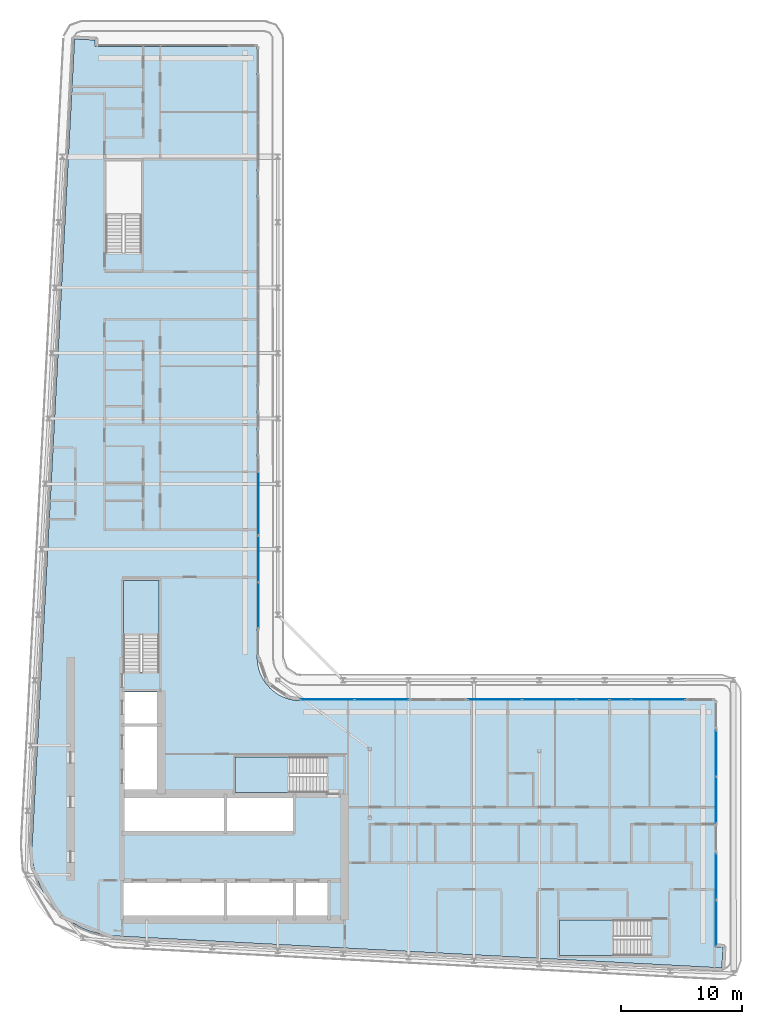
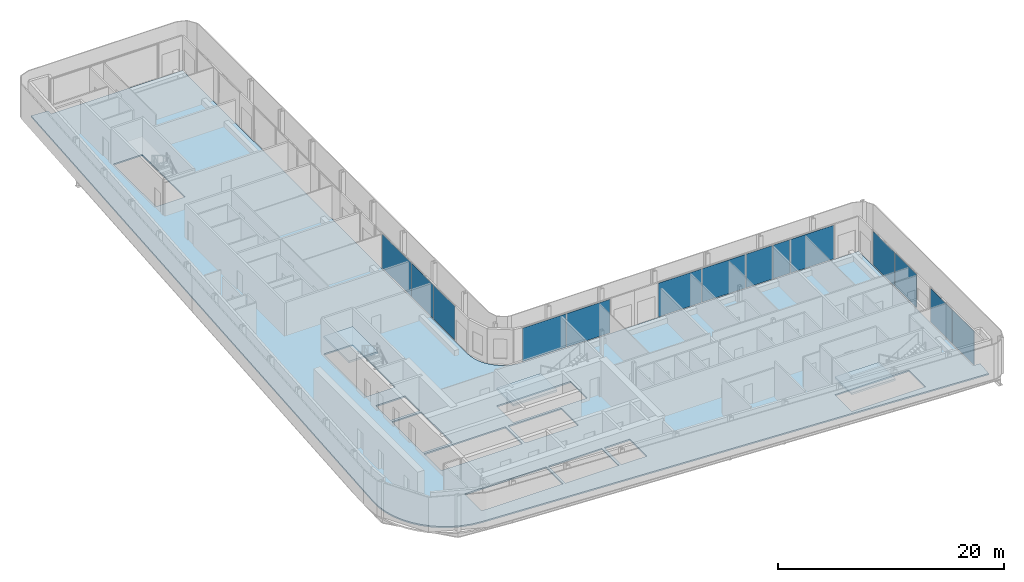
# One storey, part 8 of 23: 14 plates, 4 slabs, 10 elements without a shape of their own.
"""IFC4 building model written with IfcOpenShell, lengths in metres."""

from ifc_helpers import new_model, si_unit, direction, frame, origin, origin_2d, place, context, subcontext, project, spatial, polyline, rectangle, outline, extrude, material, layer, layer_set, type_object, element, aggregate, save


model = new_model("IFC4")

# Units and contexts
model_context = context("Model", 3, precision=1e-05, world=origin(), true_north=direction((0.0, 1.0)))
body_context = subcontext(model_context, "Body", "Model", "MODEL_VIEW")
ifc_project = project(units=[si_unit("LENGTHUNIT", "METRE"), si_unit("AREAUNIT", "SQUARE_METRE"), si_unit("VOLUMEUNIT", "CUBIC_METRE"), si_unit("PLANEANGLEUNIT", "RADIAN"), si_unit("MASSUNIT", "GRAM", prefix="KILO")], contexts=[model_context])

# Site, building, storey
site_placement = place(None, origin())
site = spatial("IfcSite", under=ifc_project, at=site_placement, CompositionType="ELEMENT")
building_placement = place(site_placement, origin())
building = spatial("IfcBuilding", under=site, at=building_placement, Name="Kheshtan School and Residences Tower", CompositionType="ELEMENT")
storey_placement = place(building_placement, frame((0.0, 0.0, 247.39990234375)))
storey = spatial("IfcBuildingStorey", under=building, at=storey_placement, Name="L58", CompositionType="ELEMENT", Elevation=247.39990234375)

# Curtain wall, plate
ifc_material_1 = material(Name="Clear low-e glass in thermally broken aluminium frame", Category="aluminium")
ifc_layer_1 = layer(ifc_material_1, 0.199951171875)
ifc_layer_set_1 = layer_set([ifc_layer_1], Name="Curtain wall CW-L")
curtain_wall_type = type_object("IfcCurtainWallType", Name="Curtain wall CW-L", PredefinedType="NOTDEFINED", material=ifc_layer_set_1)
curtain_wall_1_placement = place(storey_placement, origin())
curtain_wall_1 = element("IfcCurtainWall", 1, at=curtain_wall_1_placement, inside=storey, type_object=curtain_wall_type, Name="Curtain wall CWL8k", PredefinedType="NOTDEFINED")
ifc_layer_2 = layer(ifc_material_1, 0.031982421875)
ifc_layer_set_2 = layer_set([ifc_layer_2], Name="CW-L glass panel")
plate_type = type_object("IfcPlateType", Name="CW-L glass panel", PredefinedType="CURTAIN_PANEL", material=ifc_layer_set_2)
plate_1_placement = place(storey_placement, frame((46.0, 60.177001953125, 0.000244140625), z_axis=(0.0, 0.0, 1.0), x_axis=(0.0, -1.0, 0.0)))
plate_1 = element("IfcPlate", 2, at=plate_1_placement, type_object=plate_type, Name="CWL8k panel 2.1", PredefinedType="CURTAIN_PANEL", context=body_context, shape_type="SweptSolid", body=[
    extrude(rectangle(XDim=5.18603515625, YDim=0.031982421875, at=origin_2d()), origin(), (0.0, 0.0, 1.0), 3.6298828125),
])
aggregate(curtain_wall_1, [plate_1])

# Curtain wall, plates
curtain_wall_2_placement = place(storey_placement, origin())
curtain_wall_2 = element("IfcCurtainWall", 3, at=curtain_wall_2_placement, inside=storey, type_object=curtain_wall_type, Name="Curtain wall CWL8", PredefinedType="NOTDEFINED")
plate_2_placement = place(storey_placement, frame((46.0, 55.615478515625, 0.000244140625), z_axis=(0.0, 0.0, 1.0), x_axis=(0.0, -1.0, 0.0)))
plate_2 = element("IfcPlate", 4, at=plate_2_placement, type_object=plate_type, Name="CWL8 panel 1.1", PredefinedType="CURTAIN_PANEL", context=body_context, shape_type="SweptSolid", body=[
    extrude(rectangle(XDim=3.81689453125, YDim=0.031982421875, at=origin_2d()), origin(), (0.0, 0.0, 1.0), 3.6298828125),
])
plate_3_placement = place(storey_placement, frame((46.0, 51.7685546875, 0.000244140625), z_axis=(0.0, 0.0, 1.0), x_axis=(0.0, -1.0, 0.0)))
plate_3 = element("IfcPlate", 5, at=plate_3_placement, type_object=plate_type, Name="CWL8 panel 2.1", PredefinedType="CURTAIN_PANEL", context=body_context, shape_type="SweptSolid", body=[
    extrude(rectangle(XDim=3.757080078125, YDim=0.031982421875, at=origin_2d()), origin(), (0.0, 0.0, 1.0), 3.6298828125),
])
aggregate(curtain_wall_2, [plate_2, plate_3])

curtain_wall_3_placement = place(storey_placement, origin())
curtain_wall_3 = element("IfcCurtainWall", 6, at=curtain_wall_3_placement, inside=storey, type_object=curtain_wall_type, Name="Curtain wall CWL1231", PredefinedType="NOTDEFINED")
plate_4_placement = place(storey_placement, frame((51.700927734375, 44.0, 0.000244140625), z_axis=(0.0, 0.0, 1.0), x_axis=(1.0, 0.0, 0.0)))
plate_4 = element("IfcPlate", 7, at=plate_4_placement, type_object=plate_type, Name="CWL1231 panel 1.1", PredefinedType="CURTAIN_PANEL", context=body_context, shape_type="SweptSolid", body=[
    extrude(rectangle(XDim=4.421630859375, YDim=0.031982421875, at=origin_2d()), origin(), (0.0, 0.0, 1.0), 3.6298828125),
])
plate_5_placement = place(storey_placement, frame((56.1826171875, 44.0, 0.000244140625), z_axis=(0.0, 0.0, 1.0), x_axis=(1.0, 0.0, 0.0)))
plate_5 = element("IfcPlate", 8, at=plate_5_placement, type_object=plate_type, Name="CWL1231 panel 2.1", PredefinedType="CURTAIN_PANEL", context=body_context, shape_type="SweptSolid", body=[
    extrude(rectangle(XDim=4.421630859375, YDim=0.031982421875, at=origin_2d()), origin(), (0.0, 0.0, 1.0), 3.6298828125),
])
aggregate(curtain_wall_3, [plate_4, plate_5])

curtain_wall_4_placement = place(storey_placement, origin())
curtain_wall_4 = element("IfcCurtainWall", 9, at=curtain_wall_4_placement, inside=storey, type_object=curtain_wall_type, Name="Curtain wall CWL1231", PredefinedType="NOTDEFINED")
plate_6_placement = place(storey_placement, frame((65.524169921875, 44.0, 0.000244140625), z_axis=(0.0, 0.0, 1.0), x_axis=(1.0, 0.0, 0.0)))
plate_6 = element("IfcPlate", 10, at=plate_6_placement, type_object=plate_type, Name="CWL1231 panel 1.1", PredefinedType="CURTAIN_PANEL", context=body_context, shape_type="SweptSolid", body=[
    extrude(rectangle(XDim=4.421630859375, YDim=0.031982421875, at=origin_2d()), origin(), (0.0, 0.0, 1.0), 3.6298828125),
])
plate_7_placement = place(storey_placement, frame((70.005859375, 44.0, 0.000244140625), z_axis=(0.0, 0.0, 1.0), x_axis=(1.0, 0.0, 0.0)))
plate_7 = element("IfcPlate", 11, at=plate_7_placement, type_object=plate_type, Name="CWL1231 panel 2.1", PredefinedType="CURTAIN_PANEL", context=body_context, shape_type="SweptSolid", body=[
    extrude(rectangle(XDim=4.421630859375, YDim=0.031982421875, at=origin_2d()), origin(), (0.0, 0.0, 1.0), 3.6298828125),
])
aggregate(curtain_wall_4, [plate_6, plate_7])

curtain_wall_5_placement = place(storey_placement, origin())
curtain_wall_5 = element("IfcCurtainWall", 12, at=curtain_wall_5_placement, inside=storey, type_object=curtain_wall_type, Name="Curtain wall CWL1228", PredefinedType="NOTDEFINED")
plate_8_placement = place(storey_placement, frame((73.623291015625, 44.0, 0.000244140625), z_axis=(0.0, 0.0, 1.0), x_axis=(1.0, 0.0, 0.0)))
plate_8 = element("IfcPlate", 13, at=plate_8_placement, type_object=plate_type, Name="CWL1228 panel 1.1", PredefinedType="CURTAIN_PANEL", context=body_context, shape_type="SweptSolid", body=[
    extrude(rectangle(XDim=2.693359375, YDim=0.031982421875, at=origin_2d()), origin(), (0.0, 0.0, 1.0), 3.6298828125),
])
plate_9_placement = place(storey_placement, frame((75.89404296875, 44.0, 0.000244140625), z_axis=(0.0, 0.0, 1.0), x_axis=(1.0, 0.0, 0.0)))
plate_9 = element("IfcPlate", 14, at=plate_9_placement, type_object=plate_type, Name="CWL1228 panel 2.1", PredefinedType="CURTAIN_PANEL", context=body_context, shape_type="SweptSolid", body=[
    extrude(rectangle(XDim=1.728271484375, YDim=0.031982421875, at=origin_2d()), origin(), (0.0, 0.0, 1.0), 3.6298828125),
])
plate_10_placement = place(storey_placement, frame((79.029052734375, 44.0, 0.000244140625), z_axis=(0.0, 0.0, 1.0), x_axis=(1.0, 0.0, 0.0)))
plate_10 = element("IfcPlate", 15, at=plate_10_placement, type_object=plate_type, Name="CWL1228 panel 3.1", PredefinedType="CURTAIN_PANEL", context=body_context, shape_type="SweptSolid", body=[
    extrude(rectangle(XDim=4.421630859375, YDim=0.031982421875, at=origin_2d()), origin(), (0.0, 0.0, 1.0), 3.6298828125),
])
aggregate(curtain_wall_5, [plate_8, plate_9, plate_10])

curtain_wall_6_placement = place(storey_placement, origin())
curtain_wall_6 = element("IfcCurtainWall", 16, at=curtain_wall_6_placement, inside=storey, type_object=curtain_wall_type, Name="Curtain wall CWL13c", PredefinedType="NOTDEFINED")
plate_11_placement = place(storey_placement, frame((83.800048828125, 39.54345703125, 0.000244140625), z_axis=(0.0, 0.0, 1.0), x_axis=(0.0, -1.0, 0.0)))
plate_11 = element("IfcPlate", 17, at=plate_11_placement, type_object=plate_type, Name="CWL13c panel 1.1", PredefinedType="CURTAIN_PANEL", context=body_context, shape_type="SweptSolid", body=[
    extrude(rectangle(XDim=3.793212890625, YDim=0.031982421875, at=origin_2d()), origin(), (0.0, 0.0, 1.0), 3.6298828125),
])
plate_12_placement = place(storey_placement, frame((83.800048828125, 35.690185546875, 0.000244140625), z_axis=(0.0, 0.0, 1.0), x_axis=(0.0, -1.0, 0.0)))
plate_12 = element("IfcPlate", 18, at=plate_12_placement, type_object=plate_type, Name="CWL13c panel 2.1", PredefinedType="CURTAIN_PANEL", context=body_context, shape_type="SweptSolid", body=[
    extrude(rectangle(XDim=3.793212890625, YDim=0.031982421875, at=origin_2d()), origin(), (0.0, 0.0, 1.0), 3.6298828125),
])
aggregate(curtain_wall_6, [plate_11, plate_12])

curtain_wall_7_placement = place(storey_placement, origin())
curtain_wall_7 = element("IfcCurtainWall", 19, at=curtain_wall_7_placement, inside=storey, type_object=curtain_wall_type, Name="Curtain wall CWL13c", PredefinedType="NOTDEFINED")
plate_13_placement = place(storey_placement, frame((83.800048828125, 29.376953125, 0.000244140625), z_axis=(0.0, 0.0, 1.0), x_axis=(0.0, -1.0, 0.0)))
plate_13 = element("IfcPlate", 20, at=plate_13_placement, type_object=plate_type, Name="CWL13c panel 1.1", PredefinedType="CURTAIN_PANEL", context=body_context, shape_type="SweptSolid", body=[
    extrude(rectangle(XDim=3.793212890625, YDim=0.031982421875, at=origin_2d()), origin(), (0.0, 0.0, 1.0), 3.6298828125),
])
plate_14_placement = place(storey_placement, frame((83.800048828125, 25.523681640625, 0.000244140625), z_axis=(0.0, 0.0, 1.0), x_axis=(0.0, -1.0, 0.0)))
plate_14 = element("IfcPlate", 21, at=plate_14_placement, type_object=plate_type, Name="CWL13c panel 2.1", PredefinedType="CURTAIN_PANEL", context=body_context, shape_type="SweptSolid", body=[
    extrude(rectangle(XDim=3.793212890625, YDim=0.031982421875, at=origin_2d()), origin(), (0.0, 0.0, 1.0), 3.6298828125),
])
aggregate(curtain_wall_7, [plate_13, plate_14])

# Slab
ifc_material_2 = material(Name="Concrete C40/50", Category="concrete")
ifc_layer_3 = layer(ifc_material_2, 0.14990234375)
ifc_layer_set_3 = layer_set([ifc_layer_3], Name="Floor slab 150 Concrete C40/50")
slab_type_1 = type_object("IfcSlabType", Name="Floor slab 150 Concrete C40/50", PredefinedType="FLOOR", material=ifc_layer_set_3)
slab_1_placement = place(storey_placement, frame((0.0, 0.0, -0.14990234375)))
element("IfcSlab", 22, at=slab_1_placement, inside=storey, type_object=slab_type_1, Name="Floor slab L58", PredefinedType="FLOOR", context=body_context, shape_type="SweptSolid", body=[
    extrude(outline(polyline([(28.0849609375, 28.345947265625), (27.718017578125, 29.200927734375), (27.466064453125, 30.093017578125), (27.466064453125, 30.093994140625), (27.3330078125, 31.013916015625), (27.320068359375, 31.965087890625), (27.320068359375, 31.970947265625), (30.822021484375, 98.5009765625), (30.822998046875, 98.508056640625), (30.825927734375, 98.531005859375), (30.825927734375, 98.531982421875), (30.826904296875, 98.531982421875), (31.422119140625, 98.5), (31.423095703125, 98.5), (31.423095703125, 98.4990234375), (31.423095703125, 98.4951171875), (31.423095703125, 98.493896484375), (31.424072265625, 98.493896484375), (31.424072265625, 98.492919921875), (31.425048828125, 98.492919921875), (31.426025390625, 98.492919921875), (31.426025390625, 98.493896484375), (31.427978515625, 98.49609375), (31.428955078125, 98.4970703125), (31.429931640625, 98.498046875), (31.430908203125, 98.498046875), (31.430908203125, 98.4990234375), (31.431884765625, 98.4990234375), (31.431884765625, 98.5), (31.43505859375, 98.5009765625), (31.43603515625, 98.501953125), (31.43896484375, 98.501953125), (31.43994140625, 98.501953125), (31.43994140625, 98.5029296875), (31.44091796875, 98.5029296875), (31.446044921875, 98.5029296875), (32.5009765625, 98.447021484375), (32.50390625, 98.447021484375), (32.5048828125, 98.447021484375), (32.5048828125, 98.446044921875), (32.506103515625, 98.446044921875), (32.510009765625, 98.446044921875), (32.510009765625, 98.445068359375), (32.510986328125, 98.445068359375), (32.510986328125, 98.444091796875), (32.511962890625, 98.444091796875), (32.511962890625, 98.443115234375), (32.512939453125, 98.443115234375), (32.513916015625, 98.443115234375), (32.513916015625, 98.44189453125), (32.514892578125, 98.44189453125), (32.51611328125, 98.44189453125), (32.51904296875, 98.43896484375), (32.51904296875, 98.43798828125), (32.51904296875, 98.43701171875), (32.52001953125, 98.43701171875), (32.52001953125, 98.43603515625), (32.52099609375, 98.43603515625), (32.52099609375, 98.43408203125), (32.52099609375, 98.43310546875), (32.52197265625, 98.43310546875), (32.52197265625, 98.431884765625), (32.52294921875, 98.431884765625), (32.52294921875, 98.430908203125), (32.52294921875, 98.428955078125), (32.52294921875, 98.427978515625), (32.52392578125, 98.427978515625), (32.52392578125, 98.427001953125), (32.52392578125, 98.422119140625), (32.4970703125, 97.9208984375), (32.4970703125, 97.91796875), (32.4970703125, 97.9169921875), (32.49609375, 97.9169921875), (32.49609375, 97.916015625), (32.49609375, 97.912109375), (32.4951171875, 97.910888671875), (32.4951171875, 97.909912109375), (32.493896484375, 97.909912109375), (32.493896484375, 97.908935546875), (32.492919921875, 97.908935546875), (32.492919921875, 97.907958984375), (32.489013671875, 97.904052734375), (32.488037109375, 97.904052734375), (32.488037109375, 97.903076171875), (32.488037109375, 97.902099609375), (32.488037109375, 97.90087890625), (32.489013671875, 97.90087890625), (32.489013671875, 97.89990234375), (32.489990234375, 97.89990234375), (45.85498046875, 97.89990234375), (45.864990234375, 97.89794921875), (45.865966796875, 97.89794921875), (45.868896484375, 97.89599609375), (45.8740234375, 97.89404296875), (45.8779296875, 97.89208984375), (45.881103515625, 97.889892578125), (45.881103515625, 97.888916015625), (45.882080078125, 97.888916015625), (45.882080078125, 97.887939453125), (45.883056640625, 97.887939453125), (45.884033203125, 97.885009765625), (45.885009765625, 97.885009765625), (45.885009765625, 97.884033203125), (45.887939453125, 97.883056640625), (45.887939453125, 97.882080078125), (45.888916015625, 97.882080078125), (45.888916015625, 97.881103515625), (45.889892578125, 97.881103515625), (45.89208984375, 97.8779296875), (45.89404296875, 97.8740234375), (45.89599609375, 97.868896484375), (45.89794921875, 97.865966796875), (45.89794921875, 97.864990234375), (45.89990234375, 97.85498046875), (45.89990234375, 47.429931640625), (45.927001953125, 47.030029296875), (46.01806640625, 46.570068359375), (46.01806640625, 46.569091796875), (46.169921875, 46.1201171875), (46.37890625, 45.697021484375), (46.638916015625, 45.30810546875), (46.949951171875, 44.950927734375), (46.950927734375, 44.949951171875), (47.30810546875, 44.638916015625), (47.697021484375, 44.37890625), (48.1201171875, 44.169921875), (48.569091796875, 44.01806640625), (48.570068359375, 44.01806640625), (49.030029296875, 43.927001953125), (49.429931640625, 43.89990234375), (83.655029296875, 43.89990234375), (83.659912109375, 43.89892578125), (83.6650390625, 43.89794921875), (83.666015625, 43.89794921875), (83.6689453125, 43.89599609375), (83.674072265625, 43.89404296875), (83.677978515625, 43.89208984375), (83.680908203125, 43.889892578125), (83.680908203125, 43.888916015625), (83.681884765625, 43.888916015625), (83.681884765625, 43.887939453125), (83.68310546875, 43.887939453125), (83.68408203125, 43.885009765625), (83.68505859375, 43.885009765625), (83.68505859375, 43.884033203125), (83.68798828125, 43.883056640625), (83.68798828125, 43.882080078125), (83.68896484375, 43.882080078125), (83.68896484375, 43.881103515625), (83.68994140625, 43.881103515625), (83.69189453125, 43.8779296875), (83.694091796875, 43.8740234375), (83.696044921875, 43.868896484375), (83.697998046875, 43.865966796875), (83.697998046875, 43.864990234375), (83.699951171875, 43.85498046875), (83.699951171875, 23.56201171875), (83.699951171875, 23.56103515625), (83.700927734375, 23.56103515625), (83.700927734375, 23.56005859375), (83.701904296875, 23.56005859375), (83.702880859375, 23.56005859375), (83.702880859375, 23.56103515625), (83.705078125, 23.56298828125), (83.7060546875, 23.56396484375), (83.70703125, 23.56494140625), (83.7080078125, 23.56494140625), (83.7080078125, 23.56591796875), (83.708984375, 23.56591796875), (83.708984375, 23.56689453125), (83.7099609375, 23.56689453125), (83.712890625, 23.569091796875), (83.716064453125, 23.569091796875), (83.717041015625, 23.569091796875), (83.717041015625, 23.570068359375), (83.718017578125, 23.570068359375), (83.722900390625, 23.570068359375), (84.337890625, 23.537109375), (84.341064453125, 23.537109375), (84.342041015625, 23.537109375), (84.342041015625, 23.535888671875), (84.343017578125, 23.535888671875), (84.346923828125, 23.535888671875), (84.346923828125, 23.534912109375), (84.347900390625, 23.534912109375), (84.347900390625, 23.533935546875), (84.34912109375, 23.533935546875), (84.34912109375, 23.532958984375), (84.35009765625, 23.532958984375), (84.35107421875, 23.532958984375), (84.35107421875, 23.531982421875), (84.35205078125, 23.531982421875), (84.35302734375, 23.531982421875), (84.35302734375, 23.531005859375), (84.35498046875, 23.529052734375), (84.35595703125, 23.529052734375), (84.35595703125, 23.528076171875), (84.35595703125, 23.527099609375), (84.35693359375, 23.527099609375), (84.35693359375, 23.52587890625), (84.35791015625, 23.52587890625), (84.35791015625, 23.52490234375), (84.35791015625, 23.52392578125), (84.35791015625, 23.52294921875), (84.35888671875, 23.52294921875), (84.35888671875, 23.52197265625), (84.360107421875, 23.52197265625), (84.360107421875, 23.52099609375), (84.360107421875, 23.51904296875), (84.360107421875, 23.51806640625), (84.361083984375, 23.51806640625), (84.361083984375, 23.51708984375), (84.361083984375, 23.511962890625), (84.304931640625, 22.455078125), (84.304931640625, 22.451904296875), (84.304931640625, 22.450927734375), (84.303955078125, 22.450927734375), (84.303955078125, 22.449951171875), (84.303955078125, 22.446044921875), (84.302978515625, 22.445068359375), (84.302978515625, 22.444091796875), (84.302001953125, 22.444091796875), (84.302001953125, 22.443115234375), (84.301025390625, 22.443115234375), (84.301025390625, 22.44189453125), (84.300048828125, 22.44091796875), (84.298095703125, 22.43896484375), (84.297119140625, 22.43798828125), (84.2958984375, 22.43798828125), (84.2958984375, 22.43701171875), (84.2958984375, 22.43603515625), (84.2958984375, 22.43505859375), (84.297119140625, 22.43505859375), (84.297119140625, 22.43408203125), (84.298095703125, 22.43408203125), (84.299072265625, 22.43408203125), (84.300048828125, 22.43408203125), (84.300048828125, 22.43310546875), (84.26806640625, 21.837890625), (84.26806640625, 21.8369140625), (84.26708984375, 21.8369140625), (84.242919921875, 21.8359375), (84.238037109375, 21.8359375), (34.056884765625, 24.47802734375), (33.114990234375, 24.590087890625), (32.215087890625, 24.819091796875), (32.214111328125, 24.819091796875), (31.35205078125, 25.1630859375), (30.541015625, 25.616943359375), (29.799072265625, 26.1708984375), (29.799072265625, 26.172119140625), (29.798095703125, 26.172119140625), (29.134033203125, 26.820068359375), (29.134033203125, 26.821044921875), (29.133056640625, 26.821044921875), (28.55908203125, 27.550048828125), (28.0849609375, 28.345947265625)]), holes=[polyline([(83.699951171875, 22.44091796875), (83.699951171875, 22.43994140625), (83.699951171875, 22.43603515625), (83.699951171875, 22.43505859375), (83.700927734375, 22.43505859375), (83.700927734375, 22.43408203125), (83.701904296875, 22.43408203125), (83.7060546875, 22.43408203125), (83.70703125, 22.43408203125), (83.70703125, 22.43505859375), (83.7080078125, 22.43505859375), (83.7080078125, 22.43603515625), (83.7080078125, 22.43701171875), (83.70703125, 22.43701171875), (83.7060546875, 22.43798828125), (83.7041015625, 22.43994140625), (83.702880859375, 22.44091796875), (83.702880859375, 22.44189453125), (83.701904296875, 22.44189453125), (83.700927734375, 22.44189453125), (83.700927734375, 22.44091796875), (83.699951171875, 22.44091796875)]), polyline([(31.423095703125, 97.906982421875), (31.423095703125, 97.906005859375), (31.423095703125, 97.902099609375), (31.423095703125, 97.90087890625), (31.424072265625, 97.90087890625), (31.424072265625, 97.89990234375), (31.425048828125, 97.89990234375), (31.428955078125, 97.89990234375), (31.429931640625, 97.89990234375), (31.429931640625, 97.90087890625), (31.430908203125, 97.90087890625), (31.430908203125, 97.902099609375), (31.430908203125, 97.903076171875), (31.429931640625, 97.903076171875), (31.428955078125, 97.904052734375), (31.427978515625, 97.905029296875), (31.427001953125, 97.906005859375), (31.426025390625, 97.906982421875), (31.426025390625, 97.907958984375), (31.425048828125, 97.907958984375), (31.424072265625, 97.907958984375), (31.424072265625, 97.906982421875), (31.423095703125, 97.906982421875)]), polyline([(43.175048828125, 28.925048828125), (34.875, 28.925048828125), (34.875, 25.925048828125), (43.175048828125, 25.925048828125), (43.175048828125, 28.925048828125)]), polyline([(43.175048828125, 36.074951171875), (34.875, 36.074951171875), (34.875, 33.074951171875), (43.175048828125, 33.074951171875), (43.175048828125, 36.074951171875)]), polyline([(34.875, 41.77490234375), (34.875, 36.324951171875), (37.875, 36.324951171875), (37.875, 41.77490234375), (34.875, 41.77490234375)]), polyline([(37.875, 44.625), (34.875, 44.625), (34.875, 42.02490234375), (37.875, 42.02490234375), (37.875, 44.625)]), polyline([(36.25, 46.25), (37.800048828125, 46.25), (37.800048828125, 53.81005859375), (34.85009765625, 53.81005859375), (34.85009765625, 46.260009765625), (36.25, 46.260009765625), (36.25, 46.25)]), polyline([(33.39990234375, 88.4599609375), (33.39990234375, 80.909912109375), (34.800048828125, 80.909912109375), (34.800048828125, 80.89990234375), (36.35009765625, 80.89990234375), (36.35009765625, 88.4599609375), (33.39990234375, 88.4599609375)]), polyline([(70.85009765625, 25.800048828125), (70.85009765625, 22.85009765625), (78.39990234375, 22.85009765625), (78.39990234375, 24.25), (78.409912109375, 24.25), (78.409912109375, 25.800048828125), (70.85009765625, 25.800048828125)]), polyline([(43.425048828125, 28.925048828125), (43.425048828125, 25.925048828125), (48.875, 25.925048828125), (48.875, 28.925048828125), (43.425048828125, 28.925048828125)]), polyline([(49.125, 28.925048828125), (49.125, 25.925048828125), (51.72509765625, 25.925048828125), (51.72509765625, 28.925048828125), (49.125, 28.925048828125)]), polyline([(43.425048828125, 36.074951171875), (43.425048828125, 33.074951171875), (48.875, 33.074951171875), (48.875, 36.074951171875), (43.425048828125, 36.074951171875)]), polyline([(51.64990234375, 37.699951171875), (51.64990234375, 39.25), (44.090087890625, 39.25), (44.090087890625, 36.300048828125), (51.639892578125, 36.300048828125), (51.639892578125, 37.699951171875), (51.64990234375, 37.699951171875)])]), origin(), (0.0, 0.0, 1.0), 0.14990234375),
])

# Stair, slab
stair_type = type_object("IfcStairType", Name="Exit stair, half-turn", PredefinedType="HALF_TURN_STAIR", material=ifc_material_2)
stair_1_placement = place(storey_placement, origin())
stair_1 = element("IfcStair", 23, at=stair_1_placement, inside=storey, type_object=stair_type, Name="L58 Protected Exit Stair ST1", PredefinedType="HALF_TURN_STAIR")
ifc_layer_4 = layer(ifc_material_2, 0.199951171875)
ifc_layer_set_4 = layer_set([ifc_layer_4], Name="Stair landing 200 Concrete C40/50")
slab_type_2 = type_object("IfcSlabType", Name="Stair landing 200 Concrete C40/50", PredefinedType="LANDING", material=ifc_layer_set_4)
slab_2_placement = place(storey_placement, frame((0.0, 0.0, 1.75)))
slab_2 = element("IfcSlab", 24, at=slab_2_placement, type_object=slab_type_2, Name="ST1 landing 1", PredefinedType="LANDING", context=body_context, shape_type="SweptSolid", body=[
    extrude(outline(polyline([(48.570068359375, 39.25), (44.090087890625, 39.25), (44.090087890625, 36.300048828125), (48.570068359375, 36.300048828125), (48.570068359375, 39.25)])), origin(), (0.0, 0.0, 1.0), 0.2001953125),
])
aggregate(stair_1, [slab_2])

stair_2_placement = place(storey_placement, origin())
stair_2 = element("IfcStair", 25, at=stair_2_placement, inside=storey, type_object=stair_type, Name="L58 Protected Exit Stair ST2", PredefinedType="HALF_TURN_STAIR")
slab_3_placement = place(storey_placement, frame((0.0, 0.0, 1.75)))
slab_3 = element("IfcSlab", 26, at=slab_3_placement, type_object=slab_type_2, Name="ST2 landing 1", PredefinedType="LANDING", context=body_context, shape_type="SweptSolid", body=[
    extrude(outline(polyline([(37.800048828125, 49.330078125), (37.800048828125, 53.81005859375), (34.85009765625, 53.81005859375), (34.85009765625, 49.330078125), (37.800048828125, 49.330078125)])), origin(), (0.0, 0.0, 1.0), 0.2001953125),
])
aggregate(stair_2, [slab_3])

stair_3_placement = place(storey_placement, origin())
stair_3 = element("IfcStair", 27, at=stair_3_placement, inside=storey, type_object=stair_type, Name="L58 Protected Exit Stair ST5", PredefinedType="HALF_TURN_STAIR")
slab_4_placement = place(storey_placement, frame((0.0, 0.0, 1.75)))
slab_4 = element("IfcSlab", 28, at=slab_4_placement, type_object=slab_type_2, Name="ST5 landing 1", PredefinedType="LANDING", context=body_context, shape_type="SweptSolid", body=[
    extrude(outline(polyline([(75.330078125, 25.800048828125), (70.85009765625, 25.800048828125), (70.85009765625, 22.85009765625), (75.330078125, 22.85009765625), (75.330078125, 25.800048828125)])), origin(), (0.0, 0.0, 1.0), 0.2001953125),
])
aggregate(stair_3, [slab_4])

save(model, "model.ifc")
